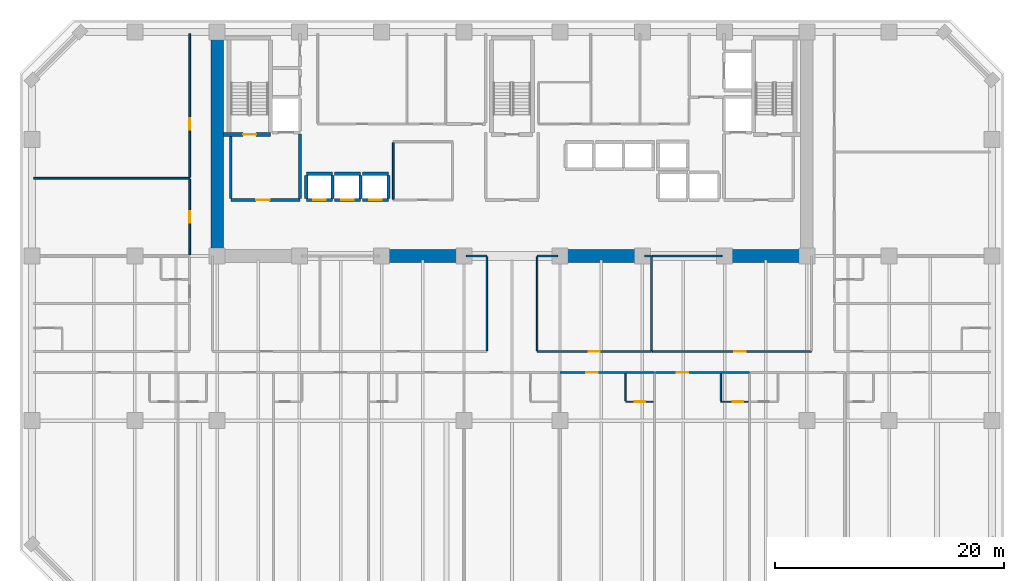
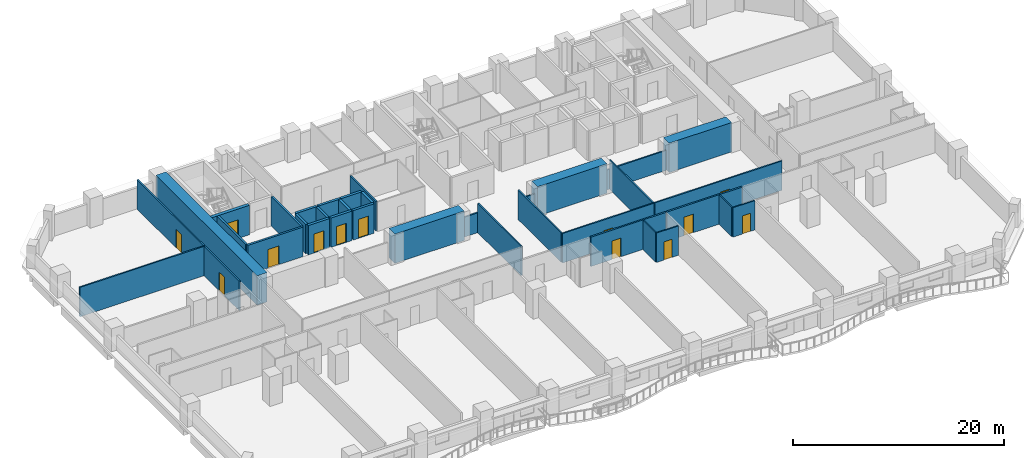
# One storey, part 5 of 14: 37 walls, 13 doors, 13 openings.
"""IFC4 building model written with IfcOpenShell, lengths in metres."""

from ifc_helpers import new_model, si_unit, direction, frame, frame_2d, origin, place, context, subcontext, project, spatial, rectangle, extrude, material, layer, layer_set, type_object, element, fill, save


model = new_model("IFC4")

# Units and contexts
model_context = context("Model", 3, precision=1e-05, world=origin(), true_north=direction((0.0, 1.0)))
body_context = subcontext(model_context, "Body", "Model", "MODEL_VIEW")
ifc_project = project(units=[si_unit("LENGTHUNIT", "METRE"), si_unit("AREAUNIT", "SQUARE_METRE"), si_unit("VOLUMEUNIT", "CUBIC_METRE"), si_unit("PLANEANGLEUNIT", "RADIAN"), si_unit("MASSUNIT", "GRAM", prefix="KILO")], contexts=[model_context])

# Site, building, storey
site_placement = place(None, origin())
site = spatial("IfcSite", under=ifc_project, at=site_placement, CompositionType="ELEMENT")
building_placement = place(site_placement, origin())
building = spatial("IfcBuilding", under=site, at=building_placement, Name="Kaelvorn Grand Hotel", CompositionType="ELEMENT")
storey_placement = place(building_placement, frame((0.0, 0.0, 76.39990234375)))
storey = spatial("IfcBuildingStorey", under=building, at=storey_placement, Name="L17", CompositionType="ELEMENT", Elevation=76.39990234375)

# Walls
ifc_material_1 = material(Name="Concrete C80/95", Category="concrete")
ifc_layer_1 = layer(ifc_material_1, 1.10009765625)
ifc_layer_set_1 = layer_set([ifc_layer_1], Name="Concrete C80/95")
wall_type_1 = type_object("IfcWallType", Name="WL-CORE-1100-C80", PredefinedType="SHEAR", material=ifc_layer_set_1)
wall_1_placement = place(storey_placement, frame((16.199951171875, 29.39990234375, 0.0), z_axis=(0.0, 0.0, 1.0), x_axis=(0.0, 1.0, 0.0)))
element("IfcWall", 1, at=wall_1_placement, inside=storey, type_object=wall_type_1, Name="L17 Rear-Core West Shear Wall", PredefinedType="SHEAR", context=body_context, shape_type="SweptSolid", body=[
    extrude(rectangle(XDim=19.2001953125, YDim=1.10009765625, at=frame_2d((9.60009765625, 0.0))), origin(), (0.0, 0.0, 1.0), 3.400146484375),
])
for number, where, z_axis, x_axis, name in (
    (2, (30.39990234375, 29.39990234375, 0.0), (0.0, 0.0, 1.0), (1.0, 0.0, 0.0), "L17 Rear-Core Coupled Shear Pier S2"),
    (3, (46.0, 29.39990234375, 0.0), (0.0, 0.0, 1.0), (1.0, 0.0, 0.0), "L17 Rear-Core Coupled Shear Pier S3"),
):
    element("IfcWall", number, at=place(storey_placement, frame(where, z_axis=z_axis, x_axis=x_axis)), inside=storey, type_object=wall_type_1, Name=name, PredefinedType="SHEAR", context=body_context, shape_type="SweptSolid", body=[
        extrude(rectangle(XDim=7.60009765625, YDim=1.10009765625, at=frame_2d((3.800048828125, 0.0))), origin(), (0.0, 0.0, 1.0), 3.400146484375),
    ])
wall_2_placement = place(storey_placement, frame((60.39990234375, 29.39990234375, 0.0), z_axis=(0.0, 0.0, 1.0), x_axis=(1.0, 0.0, 0.0)))
element("IfcWall", 4, at=wall_2_placement, inside=storey, type_object=wall_type_1, Name="L17 Rear-Core Coupled Shear Pier S4", PredefinedType="SHEAR", context=body_context, shape_type="SweptSolid", body=[
    extrude(rectangle(XDim=6.84521484375, YDim=1.10009765625, at=frame_2d((3.422607421875, 0.0))), origin(), (0.0, 0.0, 1.0), 3.400146484375),
])

# Wall, opening, door
ifc_material_2 = material(Name="Moisture-Resistant Tile & Stud Board")
ifc_layer_2 = layer(ifc_material_2, 0.125)
ifc_layer_set_2 = layer_set([ifc_layer_2], Name="Moisture-Resistant Tile & Stud Board")
wall_type_2 = type_object("IfcWallType", Name="WL-PART-125-WET", PredefinedType="PARTITIONING", material=ifc_layer_set_2)
wall_3_placement = place(storey_placement, frame((51.94970703125, 16.64990234375, 0.0), z_axis=(0.0, 0.0, 1.0), x_axis=(1.0, 0.0, 0.0)))
wall_3 = element("IfcWall", 5, at=wall_3_placement, inside=storey, type_object=wall_type_2, Name="L17 En-suite Bathroom L17-06 S Partition", PredefinedType="PARTITIONING", context=body_context, shape_type="SweptSolid", body=[
    extrude(rectangle(XDim=2.405029296875, YDim=0.125, at=frame_2d((1.20263671875, 0.0))), origin(), (0.0, 0.0, 1.0), 3.400146484375),
])
opening_1_placement = place(wall_3_placement, frame((0.800048828125, 0.0, 0.0)))
opening_1 = element("IfcOpeningElement", 6, at=opening_1_placement, cuts=wall_3, Name="Opening DI4", PredefinedType="OPENING", context=body_context, shape_type="SweptSolid", body=[
    extrude(rectangle(XDim=0.89990234375, YDim=2.10009765625, at=frame_2d((0.449951171875, 1.050048828125))), frame((0.0, 0.072509765625, 0.0), z_axis=(0.0, -1.0, 0.0), x_axis=(1.0, 0.0, 0.0)), (0.0, 0.0, 1.0), 0.14501953125),
])
ifc_material_3 = material(Name="Timber Veneer Leaf", Category="wood")
door_type_1 = type_object("IfcDoorType", Name="DR-INT-BATH-900x2100", OperationType="NOTDEFINED", PredefinedType="DOOR", material=ifc_material_3)
door_1_placement = place(opening_1_placement, origin())
door_1 = element("IfcDoor", 7, at=door_1_placement, inside=storey, type_object=door_type_1, Name="L17 En-suite Bathroom L17-06 Door", OperationType="SINGLE_SWING_RIGHT", OverallHeight=2.10009765625, OverallWidth=0.89990234375, PredefinedType="DOOR", context=body_context, shape_type="SweptSolid", body=[
    extrude(rectangle(XDim=0.89990234375, YDim=2.10009765625, at=frame_2d((0.449951171875, 1.050048828125))), frame((0.0, 0.02490234375, 0.0), z_axis=(0.0, -1.0, 0.0), x_axis=(1.0, 0.0, 0.0)), (0.0, 0.0, 1.0), 0.050048828125),
])
fill(opening_1, door_1)

# Wall
wall_4_placement = place(storey_placement, frame((51.94970703125, 16.717529296875, 0.0), z_axis=(0.0, 0.0, 1.0), x_axis=(0.0, 1.0, 0.0)))
element("IfcWall", 8, at=wall_4_placement, inside=storey, type_object=wall_type_2, Name="L17 En-suite Bathroom L17-06 W Partition", PredefinedType="PARTITIONING", context=body_context, shape_type="SweptSolid", body=[
    extrude(rectangle(XDim=2.387451171875, YDim=0.125, at=frame_2d((1.19384765625, 0.0))), origin(), (0.0, 0.0, 1.0), 3.400146484375),
])

# Wall, opening, door
wall_5_placement = place(storey_placement, frame((60.282958984375, 16.64990234375, 0.0), z_axis=(0.0, 0.0, 1.0), x_axis=(1.0, 0.0, 0.0)))
wall_5 = element("IfcWall", 9, at=wall_5_placement, inside=storey, type_object=wall_type_2, Name="L17 En-suite Bathroom L17-07 S Partition", PredefinedType="PARTITIONING", context=body_context, shape_type="SweptSolid", body=[
    extrude(rectangle(XDim=2.405029296875, YDim=0.125, at=frame_2d((1.20263671875, 0.0))), origin(), (0.0, 0.0, 1.0), 3.400146484375),
])
opening_2_placement = place(wall_5_placement, frame((1.050048828125, 0.0, 0.0)))
opening_2 = element("IfcOpeningElement", 10, at=opening_2_placement, cuts=wall_5, Name="Opening DI4", PredefinedType="OPENING", context=body_context, shape_type="SweptSolid", body=[
    extrude(rectangle(XDim=0.89990234375, YDim=2.10009765625, at=frame_2d((0.449951171875, 1.050048828125))), frame((0.0, 0.072509765625, 0.0), z_axis=(0.0, -1.0, 0.0), x_axis=(1.0, 0.0, 0.0)), (0.0, 0.0, 1.0), 0.14501953125),
])
door_2_placement = place(opening_2_placement, origin())
door_2 = element("IfcDoor", 11, at=door_2_placement, inside=storey, type_object=door_type_1, Name="L17 En-suite Bathroom L17-07 Door", OperationType="SINGLE_SWING_RIGHT", OverallHeight=2.10009765625, OverallWidth=0.89990234375, PredefinedType="DOOR", context=body_context, shape_type="SweptSolid", body=[
    extrude(rectangle(XDim=0.89990234375, YDim=2.10009765625, at=frame_2d((0.449951171875, 1.050048828125))), frame((0.0, 0.02490234375, 0.0), z_axis=(0.0, -1.0, 0.0), x_axis=(1.0, 0.0, 0.0)), (0.0, 0.0, 1.0), 0.050048828125),
])
fill(opening_2, door_2)

# Walls
wall_6_placement = place(storey_placement, frame((60.282958984375, 16.717529296875, 0.0), z_axis=(0.0, 0.0, 1.0), x_axis=(0.0, 1.0, 0.0)))
element("IfcWall", 12, at=wall_6_placement, inside=storey, type_object=wall_type_2, Name="L17 En-suite Bathroom L17-07 W Partition", PredefinedType="PARTITIONING", context=body_context, shape_type="SweptSolid", body=[
    extrude(rectangle(XDim=2.387451171875, YDim=0.125, at=frame_2d((1.19384765625, 0.0))), origin(), (0.0, 0.0, 1.0), 3.400146484375),
])
ifc_material_4 = material(Name="Acoustic Gypsum & Stud Partition")
ifc_layer_3 = layer(ifc_material_4, 0.14990234375)
ifc_layer_set_3 = layer_set([ifc_layer_3], Name="Acoustic Gypsum & Stud Partition")
wall_type_3 = type_object("IfcWallType", Name="WL-PART-150-EI60", PredefinedType="PARTITIONING", material=ifc_layer_set_3)
wall_7_placement = place(storey_placement, frame((31.60009765625, 34.3798828125, 0.0), z_axis=(0.0, 0.0, 1.0), x_axis=(0.0, 1.0, 0.0)))
element("IfcWall", 13, at=wall_7_placement, inside=storey, type_object=wall_type_3, Name="L17 Core Telecoms & BMS Server Room W Partition", PredefinedType="PARTITIONING", context=body_context, shape_type="SweptSolid", body=[
    extrude(rectangle(XDim=4.940185546875, YDim=0.14990234375, at=frame_2d((2.47021484375, 0.0))), origin(), (0.0, 0.0, 1.0), 3.400146484375),
])
wall_8_placement = place(storey_placement, frame((38.010009765625, 29.39990234375, 0.0), z_axis=(0.0, 0.0, 1.0), x_axis=(1.0, 0.0, 0.0)))
element("IfcWall", 14, at=wall_8_placement, inside=storey, type_object=wall_type_3, Name="L17 Sommelier Wine Bar N Partition (2)", PredefinedType="PARTITIONING", context=body_context, shape_type="SweptSolid", body=[
    extrude(rectangle(XDim=1.7900390625, YDim=0.14990234375, at=frame_2d((0.89501953125, 0.0))), origin(), (0.0, 0.0, 1.0), 2.300048828125),
])
wall_9_placement = place(storey_placement, frame((39.800048828125, 21.1298828125, 0.0), z_axis=(0.0, 0.0, 1.0), x_axis=(0.0, 1.0, 0.0)))
element("IfcWall", 15, at=wall_9_placement, inside=storey, type_object=wall_type_3, Name="L17 Sommelier Wine Bar E Partition", PredefinedType="PARTITIONING", context=body_context, shape_type="SweptSolid", body=[
    extrude(rectangle(XDim=8.190185546875, YDim=0.14990234375, at=frame_2d((4.09521484375, 0.0))), origin(), (0.0, 0.0, 1.0), 3.400146484375),
])

# Wall, opening, door
wall_10_placement = place(storey_placement, frame((44.199951171875, 21.050048828125, 0.0), z_axis=(0.0, 0.0, 1.0), x_axis=(1.0, 0.0, 0.0)))
wall_10 = element("IfcWall", 16, at=wall_10_placement, inside=storey, type_object=wall_type_3, Name="L17 Business Meeting Room S Partition", PredefinedType="PARTITIONING", context=body_context, shape_type="SweptSolid", body=[
    extrude(rectangle(XDim=10.0, YDim=0.14990234375, at=frame_2d((5.0, 0.0))), origin(), (0.0, 0.0, 1.0), 3.400146484375),
])
opening_3_placement = place(wall_10_placement, frame((4.5, 0.0, 0.0)))
opening_3 = element("IfcOpeningElement", 17, at=opening_3_placement, cuts=wall_10, Name="Opening DI3", PredefinedType="OPENING", context=body_context, shape_type="SweptSolid", body=[
    extrude(rectangle(XDim=1.0, YDim=2.14990234375, at=frame_2d((0.5, 1.074951171875))), frame((0.0, 0.0849609375, 0.0), z_axis=(0.0, -1.0, 0.0), x_axis=(1.0, 0.0, 0.0)), (0.0, 0.0, 1.0), 0.169921875),
])
ifc_material_5 = material(Name="Timber Veneer Fire Leaf", Category="wood")
door_type_2 = type_object("IfcDoorType", Name="DR-INT-GUEST-1000x2150", OperationType="NOTDEFINED", PredefinedType="DOOR", material=ifc_material_5)
door_3_placement = place(opening_3_placement, origin())
door_3 = element("IfcDoor", 18, at=door_3_placement, inside=storey, type_object=door_type_2, Name="L17 Business Meeting Room Door", OperationType="SINGLE_SWING_LEFT", OverallHeight=2.14990234375, OverallWidth=1.0, PredefinedType="DOOR", context=body_context, shape_type="SweptSolid", body=[
    extrude(rectangle(XDim=1.0, YDim=2.14990234375, at=frame_2d((0.5, 1.074951171875))), frame((0.0, 0.02490234375, 0.0), z_axis=(0.0, -1.0, 0.0), x_axis=(1.0, 0.0, 0.0)), (0.0, 0.0, 1.0), 0.050048828125),
])
fill(opening_3, door_3)

# Walls
wall_11_placement = place(storey_placement, frame((44.199951171875, 29.39990234375, 0.0), z_axis=(0.0, 0.0, 1.0), x_axis=(1.0, 0.0, 0.0)))
element("IfcWall", 19, at=wall_11_placement, inside=storey, type_object=wall_type_3, Name="L17 Business Meeting Room N Partition (1)", PredefinedType="PARTITIONING", context=body_context, shape_type="SweptSolid", body=[
    extrude(rectangle(XDim=1.7900390625, YDim=0.14990234375, at=frame_2d((0.89501953125, 0.0))), origin(), (0.0, 0.0, 1.0), 2.300048828125),
])
wall_12_placement = place(storey_placement, frame((53.610107421875, 29.39990234375, 0.0), z_axis=(0.0, 0.0, 1.0), x_axis=(1.0, 0.0, 0.0)))
element("IfcWall", 20, at=wall_12_placement, inside=storey, type_object=wall_type_3, Name="L17 Business Meeting Room N Partition (2)", PredefinedType="PARTITIONING", context=body_context, shape_type="SweptSolid", body=[
    extrude(rectangle(XDim=0.58984375, YDim=0.14990234375, at=frame_2d((0.294921875, 0.0))), origin(), (0.0, 0.0, 1.0), 2.300048828125),
])
for number, where, z_axis, x_axis, name in (
    (21, (44.199951171875, 21.1298828125, 0.0), (0.0, 0.0, 1.0), (0.0, 1.0, 0.0), "L17 Business Meeting Room W Partition"),
    (22, (54.199951171875, 21.1298828125, 0.0), (0.0, 0.0, 1.0), (0.0, 1.0, 0.0), "L17 Business Meeting Room E Partition"),
):
    element("IfcWall", number, at=place(storey_placement, frame(where, z_axis=z_axis, x_axis=x_axis)), inside=storey, type_object=wall_type_3, Name=name, PredefinedType="PARTITIONING", context=body_context, shape_type="SweptSolid", body=[
        extrude(rectangle(XDim=8.190185546875, YDim=0.14990234375, at=frame_2d((4.09521484375, 0.0))), origin(), (0.0, 0.0, 1.0), 3.400146484375),
    ])

# Wall, opening, door
wall_13_placement = place(storey_placement, frame((54.280029296875, 21.050048828125, 0.0), z_axis=(0.0, 0.0, 1.0), x_axis=(1.0, 0.0, 0.0)))
wall_13 = element("IfcWall", 23, at=wall_13_placement, inside=storey, type_object=wall_type_3, Name="L17 Press Briefing Office S Partition", PredefinedType="PARTITIONING", context=body_context, shape_type="SweptSolid", body=[
    extrude(rectangle(XDim=13.919921875, YDim=0.14990234375, at=frame_2d((6.9599609375, 0.0))), origin(), (0.0, 0.0, 1.0), 3.400146484375),
])
opening_4_placement = place(wall_13_placement, frame((7.169921875, 0.0, 0.0)))
opening_4 = element("IfcOpeningElement", 24, at=opening_4_placement, cuts=wall_13, Name="Opening DI3", PredefinedType="OPENING", context=body_context, shape_type="SweptSolid", body=[
    extrude(rectangle(XDim=1.0, YDim=2.14990234375, at=frame_2d((0.5, 1.074951171875))), frame((0.0, 0.0849609375, 0.0), z_axis=(0.0, -1.0, 0.0), x_axis=(1.0, 0.0, 0.0)), (0.0, 0.0, 1.0), 0.169921875),
])
door_4_placement = place(opening_4_placement, origin())
door_4 = element("IfcDoor", 25, at=door_4_placement, inside=storey, type_object=door_type_2, Name="L17 Press Briefing Office Door", OperationType="SINGLE_SWING_RIGHT", OverallHeight=2.14990234375, OverallWidth=1.0, PredefinedType="DOOR", context=body_context, shape_type="SweptSolid", body=[
    extrude(rectangle(XDim=1.0, YDim=2.14990234375, at=frame_2d((0.5, 1.074951171875))), frame((0.0, 0.02490234375, 0.0), z_axis=(0.0, -1.0, 0.0), x_axis=(1.0, 0.0, 0.0)), (0.0, 0.0, 1.0), 0.050048828125),
])
fill(opening_4, door_4)

# Walls
wall_14_placement = place(storey_placement, frame((54.280029296875, 29.39990234375, 0.0), z_axis=(0.0, 0.0, 1.0), x_axis=(1.0, 0.0, 0.0)))
element("IfcWall", 26, at=wall_14_placement, inside=storey, type_object=wall_type_3, Name="L17 Press Briefing Office N Partition", PredefinedType="PARTITIONING", context=body_context, shape_type="SweptSolid", body=[
    extrude(rectangle(XDim=6.10986328125, YDim=0.14990234375, at=frame_2d((3.054931640625, 0.0))), origin(), (0.0, 0.0, 1.0), 2.300048828125),
])
wall_15_placement = place(storey_placement, frame((0.14990234375, 36.199951171875, 0.0), z_axis=(0.0, 0.0, 1.0), x_axis=(1.0, 0.0, 0.0)))
element("IfcWall", 27, at=wall_15_placement, inside=storey, type_object=wall_type_3, Name="L17 North-West Private Cinema Lounge N Partition", PredefinedType="PARTITIONING", context=body_context, shape_type="SweptSolid", body=[
    extrude(rectangle(XDim=13.650146484375, YDim=0.14990234375, at=frame_2d((6.8251953125, 0.0))), origin(), (0.0, 0.0, 1.0), 3.400146484375),
])

# Wall, opening, door
wall_16_placement = place(storey_placement, frame((13.800048828125, 29.4951171875, 0.0), z_axis=(0.0, 0.0, 1.0), x_axis=(0.0, 1.0, 0.0)))
wall_16 = element("IfcWall", 28, at=wall_16_placement, inside=storey, type_object=wall_type_3, Name="L17 North-West Private Cinema Lounge E Partition", PredefinedType="PARTITIONING", context=body_context, shape_type="SweptSolid", body=[
    extrude(rectangle(XDim=6.625, YDim=0.14990234375, at=frame_2d((3.3125, 0.0))), origin(), (0.0, 0.0, 1.0), 3.400146484375),
])
opening_5_placement = place(wall_16_placement, frame((2.804931640625, 0.0, 0.0)))
opening_5 = element("IfcOpeningElement", 29, at=opening_5_placement, cuts=wall_16, Name="Opening DI3", PredefinedType="OPENING", context=body_context, shape_type="SweptSolid", body=[
    extrude(rectangle(XDim=1.0, YDim=2.14990234375, at=frame_2d((0.5, 1.074951171875))), frame((0.0, 0.0849609375, 0.0), z_axis=(0.0, -1.0, 0.0), x_axis=(1.0, 0.0, 0.0)), (0.0, 0.0, 1.0), 0.169921875),
])
door_5_placement = place(opening_5_placement, origin())
door_5 = element("IfcDoor", 30, at=door_5_placement, inside=storey, type_object=door_type_2, Name="L17 North-West Private Cinema Lounge Door", OperationType="SINGLE_SWING_LEFT", OverallHeight=2.14990234375, OverallWidth=1.0, PredefinedType="DOOR", context=body_context, shape_type="SweptSolid", body=[
    extrude(rectangle(XDim=1.0, YDim=2.14990234375, at=frame_2d((0.5, 1.074951171875))), frame((0.0, 0.02490234375, 0.0), z_axis=(0.0, -1.0, 0.0), x_axis=(1.0, 0.0, 0.0)), (0.0, 0.0, 1.0), 0.050048828125),
])
fill(opening_5, door_5)

wall_17_placement = place(storey_placement, frame((13.800048828125, 36.280029296875, 0.0), z_axis=(0.0, 0.0, 1.0), x_axis=(0.0, 1.0, 0.0)))
wall_17 = element("IfcWall", 31, at=wall_17_placement, inside=storey, type_object=wall_type_3, Name="L17 North-West Sommelier Wine Bar E Partition", PredefinedType="PARTITIONING", context=body_context, shape_type="SweptSolid", body=[
    extrude(rectangle(XDim=12.570068359375, YDim=0.14990234375, at=frame_2d((6.28515625, 0.0))), origin(), (0.0, 0.0, 1.0), 3.400146484375),
])
opening_6_placement = place(wall_17_placement, frame((4.169921875, 0.0, 0.0)))
opening_6 = element("IfcOpeningElement", 32, at=opening_6_placement, cuts=wall_17, Name="Opening DI3", PredefinedType="OPENING", context=body_context, shape_type="SweptSolid", body=[
    extrude(rectangle(XDim=1.0, YDim=2.14990234375, at=frame_2d((0.5, 1.074951171875))), frame((0.0, 0.0849609375, 0.0), z_axis=(0.0, -1.0, 0.0), x_axis=(1.0, 0.0, 0.0)), (0.0, 0.0, 1.0), 0.169921875),
])
door_6_placement = place(opening_6_placement, origin())
door_6 = element("IfcDoor", 33, at=door_6_placement, inside=storey, type_object=door_type_2, Name="L17 North-West Sommelier Wine Bar Door", OperationType="SINGLE_SWING_RIGHT", OverallHeight=2.14990234375, OverallWidth=1.0, PredefinedType="DOOR", context=body_context, shape_type="SweptSolid", body=[
    extrude(rectangle(XDim=1.0, YDim=2.14990234375, at=frame_2d((0.5, 1.074951171875))), frame((0.0, 0.02490234375, 0.0), z_axis=(0.0, -1.0, 0.0), x_axis=(1.0, 0.0, 0.0)), (0.0, 0.0, 1.0), 0.050048828125),
])
fill(opening_6, door_6)

ifc_layer_4 = layer(ifc_material_4, 0.179931640625)
ifc_layer_set_4 = layer_set([ifc_layer_4], Name="Acoustic Gypsum & Stud Partition")
wall_type_4 = type_object("IfcWallType", Name="WL-PART-180-EI60", PredefinedType="PARTITIONING", material=ifc_layer_set_4)
wall_18_placement = place(storey_placement, frame((46.21142578125, 19.199951171875, 0.0), z_axis=(0.0, 0.0, 1.0), x_axis=(1.0, 0.0, 0.0)))
wall_18 = element("IfcWall", 34, at=wall_18_placement, inside=storey, type_object=wall_type_4, Name="L17 Deluxe Panoramic Suite L17-06 N Partition", PredefinedType="PARTITIONING", context=body_context, shape_type="SweptSolid", body=[
    extrude(rectangle(XDim=8.23828125, YDim=0.179931640625, at=frame_2d((4.119140625, 0.0))), origin(), (0.0, 0.0, 1.0), 3.400146484375),
])
opening_7_placement = place(wall_18_placement, frame((2.303466796875, 0.0, 0.0)))
opening_7 = element("IfcOpeningElement", 35, at=opening_7_placement, cuts=wall_18, Name="Opening DI3", PredefinedType="OPENING", context=body_context, shape_type="SweptSolid", body=[
    extrude(rectangle(XDim=1.0, YDim=2.14990234375, at=frame_2d((0.5, 1.074951171875))), frame((0.0, 0.10009765625, 0.0), z_axis=(0.0, -1.0, 0.0), x_axis=(1.0, 0.0, 0.0)), (0.0, 0.0, 1.0), 0.199951171875),
])
door_7_placement = place(opening_7_placement, origin())
door_7 = element("IfcDoor", 36, at=door_7_placement, inside=storey, type_object=door_type_2, Name="L17 Deluxe Panoramic Suite L17-06 Door", OperationType="SINGLE_SWING_LEFT", OverallHeight=2.14990234375, OverallWidth=1.0, PredefinedType="DOOR", context=body_context, shape_type="SweptSolid", body=[
    extrude(rectangle(XDim=1.0, YDim=2.14990234375, at=frame_2d((0.5, 1.074951171875))), frame((0.0, 0.02490234375, 0.0), z_axis=(0.0, -1.0, 0.0), x_axis=(1.0, 0.0, 0.0)), (0.0, 0.0, 1.0), 0.050048828125),
])
fill(opening_7, door_7)

wall_19_placement = place(storey_placement, frame((54.544677734375, 19.199951171875, 0.0), z_axis=(0.0, 0.0, 1.0), x_axis=(1.0, 0.0, 0.0)))
wall_19 = element("IfcWall", 37, at=wall_19_placement, inside=storey, type_object=wall_type_4, Name="L17 Deluxe Panoramic Suite L17-07 N Partition", PredefinedType="PARTITIONING", context=body_context, shape_type="SweptSolid", body=[
    extrude(rectangle(XDim=8.23828125, YDim=0.179931640625, at=frame_2d((4.119140625, 0.0))), origin(), (0.0, 0.0, 1.0), 3.400146484375),
])
opening_8_placement = place(wall_19_placement, frame((1.87158203125, 0.0, 0.0)))
opening_8 = element("IfcOpeningElement", 38, at=opening_8_placement, cuts=wall_19, Name="Opening DI3", PredefinedType="OPENING", context=body_context, shape_type="SweptSolid", body=[
    extrude(rectangle(XDim=1.0, YDim=2.14990234375, at=frame_2d((0.5, 1.074951171875))), frame((0.0, 0.10009765625, 0.0), z_axis=(0.0, -1.0, 0.0), x_axis=(1.0, 0.0, 0.0)), (0.0, 0.0, 1.0), 0.199951171875),
])
door_8_placement = place(opening_8_placement, origin())
door_8 = element("IfcDoor", 39, at=door_8_placement, inside=storey, type_object=door_type_2, Name="L17 Deluxe Panoramic Suite L17-07 Door", OperationType="SINGLE_SWING_LEFT", OverallHeight=2.14990234375, OverallWidth=1.0, PredefinedType="DOOR", context=body_context, shape_type="SweptSolid", body=[
    extrude(rectangle(XDim=1.0, YDim=2.14990234375, at=frame_2d((0.5, 1.074951171875))), frame((0.0, 0.02490234375, 0.0), z_axis=(0.0, -1.0, 0.0), x_axis=(1.0, 0.0, 0.0)), (0.0, 0.0, 1.0), 0.050048828125),
])
fill(opening_8, door_8)

ifc_material_6 = material(Name="Concrete C40/50", Category="concrete")
ifc_layer_5 = layer(ifc_material_6, 0.219970703125)
ifc_layer_set_5 = layer_set([ifc_layer_5], Name="Concrete C40/50")
wall_type_5 = type_object("IfcWallType", Name="WL-PART-220-EI120", PredefinedType="PARTITIONING", material=ifc_layer_set_5)
wall_20_placement = place(storey_placement, frame((17.39990234375, 34.300048828125, 0.0), z_axis=(0.0, 0.0, 1.0), x_axis=(1.0, 0.0, 0.0)))
wall_20 = element("IfcWall", 40, at=wall_20_placement, inside=storey, type_object=wall_type_5, Name="L17 Firefighting Lift Lobby 1 S Partition", PredefinedType="PARTITIONING", context=body_context, shape_type="SweptSolid", body=[
    extrude(rectangle(XDim=6.050048828125, YDim=0.219970703125, at=frame_2d((3.02490234375, 0.0))), origin(), (0.0, 0.0, 1.0), 3.400146484375),
])
opening_9_placement = place(wall_20_placement, frame((2.199951171875, 0.0, 0.0)))
opening_9 = element("IfcOpeningElement", 41, at=opening_9_placement, cuts=wall_20, Name="Opening DI2", PredefinedType="OPENING", context=body_context, shape_type="SweptSolid", body=[
    extrude(rectangle(XDim=1.199951171875, YDim=2.14990234375, at=frame_2d((0.60009765625, 1.074951171875))), frame((0.0, 0.1201171875, 0.0), z_axis=(0.0, -1.0, 0.0), x_axis=(1.0, 0.0, 0.0)), (0.0, 0.0, 1.0), 0.239990234375),
])
door_type_3 = type_object("IfcDoorType", Name="DR-INT-FFLOB-1200x2150", OperationType="NOTDEFINED", PredefinedType="DOOR", material=ifc_material_5)
door_9_placement = place(opening_9_placement, origin())
door_9 = element("IfcDoor", 42, at=door_9_placement, inside=storey, type_object=door_type_3, Name="L17 Firefighting Lift Lobby 1 Door", OperationType="SINGLE_SWING_RIGHT", OverallHeight=2.14990234375, OverallWidth=1.199951171875, PredefinedType="DOOR", context=body_context, shape_type="SweptSolid", body=[
    extrude(rectangle(XDim=1.199951171875, YDim=2.14990234375, at=frame_2d((0.60009765625, 1.074951171875))), frame((0.0, 0.02490234375, 0.0), z_axis=(0.0, -1.0, 0.0), x_axis=(1.0, 0.0, 0.0)), (0.0, 0.0, 1.0), 0.050048828125),
])
fill(opening_9, door_9)

# Walls
wall_21_placement = place(storey_placement, frame((17.39990234375, 34.4150390625, 0.0), z_axis=(0.0, 0.0, 1.0), x_axis=(0.0, 1.0, 0.0)))
element("IfcWall", 43, at=wall_21_placement, inside=storey, type_object=wall_type_5, Name="L17 Firefighting Lift Lobby 1 W Partition", PredefinedType="PARTITIONING", context=body_context, shape_type="SweptSolid", body=[
    extrude(rectangle(XDim=5.429931640625, YDim=0.219970703125, at=frame_2d((2.71484375, 0.0))), origin(), (0.0, 0.0, 1.0), 3.400146484375),
])
wall_22_placement = place(storey_placement, frame((23.449951171875, 34.4150390625, 0.0), z_axis=(0.0, 0.0, 1.0), x_axis=(0.0, 1.0, 0.0)))
element("IfcWall", 44, at=wall_22_placement, inside=storey, type_object=wall_type_5, Name="L17 Firefighting Lift Lobby 1 E Partition", PredefinedType="PARTITIONING", context=body_context, shape_type="SweptSolid", body=[
    extrude(rectangle(XDim=5.639892578125, YDim=0.219970703125, at=frame_2d((2.81982421875, 0.0))), origin(), (0.0, 0.0, 1.0), 3.400146484375),
])

# Wall, opening, door
ifc_material_7 = material(Name="Concrete C50/60", Category="concrete")
ifc_layer_6 = layer(ifc_material_7, 0.280029296875)
ifc_layer_set_6 = layer_set([ifc_layer_6], Name="Concrete C50/60")
wall_type_6 = type_object("IfcWallType", Name="WL-SHAFT-280-C50", PredefinedType="SHEAR", material=ifc_layer_set_6)
wall_23_placement = place(storey_placement, frame((24.0, 34.300048828125, 0.0), z_axis=(0.0, 0.0, 1.0), x_axis=(1.0, 0.0, 0.0)))
wall_23 = element("IfcWall", 45, at=wall_23_placement, inside=storey, type_object=wall_type_6, Name="L17 Lift PL-L1 Shaft South Wall", PredefinedType="SHEAR", context=body_context, shape_type="SweptSolid", body=[
    extrude(rectangle(XDim=2.300048828125, YDim=0.280029296875, at=frame_2d((1.14990234375, 0.0))), origin(), (0.0, 0.0, 1.0), 3.400146484375),
])
opening_10_placement = place(wall_23_placement, frame((0.60009765625, 0.0, 0.0)))
opening_10 = element("IfcOpeningElement", 46, at=opening_10_placement, cuts=wall_23, Name="Opening LD-PL-L1", PredefinedType="OPENING", context=body_context, shape_type="SweptSolid", body=[
    extrude(rectangle(XDim=1.10009765625, YDim=2.199951171875, at=frame_2d((0.550048828125, 1.10009765625))), frame((0.0, 0.14990234375, 0.0), z_axis=(0.0, -1.0, 0.0), x_axis=(1.0, 0.0, 0.0)), (0.0, 0.0, 1.0), 0.300048828125),
])
ifc_material_8 = material(Name="Stainless Steel", Category="steel")
door_type_4 = type_object("IfcDoorType", Name="DR-LIFT-PASS-1100x2200", OperationType="DOUBLE_DOOR_SLIDING", PredefinedType="DOOR", material=ifc_material_8)
door_10_placement = place(opening_10_placement, origin())
door_10 = element("IfcDoor", 47, at=door_10_placement, inside=storey, type_object=door_type_4, Name="L17 Lift PL-L1 Sliding Landing Door LD-PL-L1", OperationType="DOUBLE_DOOR_SLIDING", OverallHeight=2.199951171875, OverallWidth=1.10009765625, PredefinedType="DOOR", context=body_context, shape_type="SweptSolid", body=[
    extrude(rectangle(XDim=1.10009765625, YDim=2.199951171875, at=frame_2d((0.550048828125, 1.10009765625))), frame((0.0, 0.02490234375, 0.0), z_axis=(0.0, -1.0, 0.0), x_axis=(1.0, 0.0, 0.0)), (0.0, 0.0, 1.0), 0.050048828125),
])
fill(opening_10, door_10)

# Walls
wall_24_placement = place(storey_placement, frame((24.0, 36.60009765625, 0.0), z_axis=(0.0, 0.0, 1.0), x_axis=(1.0, 0.0, 0.0)))
element("IfcWall", 48, at=wall_24_placement, inside=storey, type_object=wall_type_6, Name="L17 Lift PL-L1 Shaft North Wall", PredefinedType="SHEAR", context=body_context, shape_type="SweptSolid", body=[
    extrude(rectangle(XDim=2.300048828125, YDim=0.280029296875, at=frame_2d((1.14990234375, 0.0))), origin(), (0.0, 0.0, 1.0), 3.400146484375),
])
for number, where, z_axis, x_axis, name in (
    (49, (24.0, 34.445068359375, 0.0), (0.0, 0.0, 1.0), (0.0, 1.0, 0.0), "L17 Lift PL-L1 Shaft West Wall"),
    (50, (26.300048828125, 34.445068359375, 0.0), (0.0, 0.0, 1.0), (0.0, 1.0, 0.0), "L17 Lift PL-L1 Shaft East Wall"),
):
    element("IfcWall", number, at=place(storey_placement, frame(where, z_axis=z_axis, x_axis=x_axis)), inside=storey, type_object=wall_type_6, Name=name, PredefinedType="SHEAR", context=body_context, shape_type="SweptSolid", body=[
        extrude(rectangle(XDim=2.010009765625, YDim=0.280029296875, at=frame_2d((1.0048828125, 0.0))), origin(), (0.0, 0.0, 1.0), 3.400146484375),
    ])

# Wall, opening, door
wall_25_placement = place(storey_placement, frame((26.449951171875, 34.300048828125, 0.0), z_axis=(0.0, 0.0, 1.0), x_axis=(1.0, 0.0, 0.0)))
wall_25 = element("IfcWall", 51, at=wall_25_placement, inside=storey, type_object=wall_type_6, Name="L17 Lift PL-L2 Shaft South Wall", PredefinedType="SHEAR", context=body_context, shape_type="SweptSolid", body=[
    extrude(rectangle(XDim=2.300048828125, YDim=0.280029296875, at=frame_2d((1.14990234375, 0.0))), origin(), (0.0, 0.0, 1.0), 3.400146484375),
])
opening_11_placement = place(wall_25_placement, frame((0.60009765625, 0.0, 0.0)))
opening_11 = element("IfcOpeningElement", 52, at=opening_11_placement, cuts=wall_25, Name="Opening LD-PL-L2", PredefinedType="OPENING", context=body_context, shape_type="SweptSolid", body=[
    extrude(rectangle(XDim=1.10009765625, YDim=2.199951171875, at=frame_2d((0.550048828125, 1.10009765625))), frame((0.0, 0.14990234375, 0.0), z_axis=(0.0, -1.0, 0.0), x_axis=(1.0, 0.0, 0.0)), (0.0, 0.0, 1.0), 0.300048828125),
])
door_11_placement = place(opening_11_placement, origin())
door_11 = element("IfcDoor", 53, at=door_11_placement, inside=storey, type_object=door_type_4, Name="L17 Lift PL-L2 Sliding Landing Door LD-PL-L2", OperationType="DOUBLE_DOOR_SLIDING", OverallHeight=2.199951171875, OverallWidth=1.10009765625, PredefinedType="DOOR", context=body_context, shape_type="SweptSolid", body=[
    extrude(rectangle(XDim=1.10009765625, YDim=2.199951171875, at=frame_2d((0.550048828125, 1.10009765625))), frame((0.0, 0.02490234375, 0.0), z_axis=(0.0, -1.0, 0.0), x_axis=(1.0, 0.0, 0.0)), (0.0, 0.0, 1.0), 0.050048828125),
])
fill(opening_11, door_11)

# Walls
wall_26_placement = place(storey_placement, frame((26.449951171875, 36.60009765625, 0.0), z_axis=(0.0, 0.0, 1.0), x_axis=(1.0, 0.0, 0.0)))
element("IfcWall", 54, at=wall_26_placement, inside=storey, type_object=wall_type_6, Name="L17 Lift PL-L2 Shaft North Wall", PredefinedType="SHEAR", context=body_context, shape_type="SweptSolid", body=[
    extrude(rectangle(XDim=2.300048828125, YDim=0.280029296875, at=frame_2d((1.14990234375, 0.0))), origin(), (0.0, 0.0, 1.0), 3.400146484375),
])
wall_27_placement = place(storey_placement, frame((28.75, 34.445068359375, 0.0), z_axis=(0.0, 0.0, 1.0), x_axis=(0.0, 1.0, 0.0)))
element("IfcWall", 55, at=wall_27_placement, inside=storey, type_object=wall_type_6, Name="L17 Lift PL-L2 Shaft East Wall", PredefinedType="SHEAR", context=body_context, shape_type="SweptSolid", body=[
    extrude(rectangle(XDim=2.010009765625, YDim=0.280029296875, at=frame_2d((1.0048828125, 0.0))), origin(), (0.0, 0.0, 1.0), 3.400146484375),
])

# Wall, opening, door
wall_28_placement = place(storey_placement, frame((28.89990234375, 34.300048828125, 0.0), z_axis=(0.0, 0.0, 1.0), x_axis=(1.0, 0.0, 0.0)))
wall_28 = element("IfcWall", 56, at=wall_28_placement, inside=storey, type_object=wall_type_6, Name="L17 Lift PL-L3 Shaft South Wall", PredefinedType="SHEAR", context=body_context, shape_type="SweptSolid", body=[
    extrude(rectangle(XDim=2.300048828125, YDim=0.280029296875, at=frame_2d((1.14990234375, 0.0))), origin(), (0.0, 0.0, 1.0), 3.400146484375),
])
opening_12_placement = place(wall_28_placement, frame((0.60009765625, 0.0, 0.0)))
opening_12 = element("IfcOpeningElement", 57, at=opening_12_placement, cuts=wall_28, Name="Opening LD-PL-L3", PredefinedType="OPENING", context=body_context, shape_type="SweptSolid", body=[
    extrude(rectangle(XDim=1.10009765625, YDim=2.199951171875, at=frame_2d((0.550048828125, 1.10009765625))), frame((0.0, 0.14990234375, 0.0), z_axis=(0.0, -1.0, 0.0), x_axis=(1.0, 0.0, 0.0)), (0.0, 0.0, 1.0), 0.300048828125),
])
door_12_placement = place(opening_12_placement, origin())
door_12 = element("IfcDoor", 58, at=door_12_placement, inside=storey, type_object=door_type_4, Name="L17 Lift PL-L3 Sliding Landing Door LD-PL-L3", OperationType="DOUBLE_DOOR_SLIDING", OverallHeight=2.199951171875, OverallWidth=1.10009765625, PredefinedType="DOOR", context=body_context, shape_type="SweptSolid", body=[
    extrude(rectangle(XDim=1.10009765625, YDim=2.199951171875, at=frame_2d((0.550048828125, 1.10009765625))), frame((0.0, 0.02490234375, 0.0), z_axis=(0.0, -1.0, 0.0), x_axis=(1.0, 0.0, 0.0)), (0.0, 0.0, 1.0), 0.050048828125),
])
fill(opening_12, door_12)

# Walls
wall_29_placement = place(storey_placement, frame((28.89990234375, 36.60009765625, 0.0), z_axis=(0.0, 0.0, 1.0), x_axis=(1.0, 0.0, 0.0)))
element("IfcWall", 59, at=wall_29_placement, inside=storey, type_object=wall_type_6, Name="L17 Lift PL-L3 Shaft North Wall", PredefinedType="SHEAR", context=body_context, shape_type="SweptSolid", body=[
    extrude(rectangle(XDim=2.300048828125, YDim=0.280029296875, at=frame_2d((1.14990234375, 0.0))), origin(), (0.0, 0.0, 1.0), 3.400146484375),
])
wall_30_placement = place(storey_placement, frame((31.199951171875, 34.445068359375, 0.0), z_axis=(0.0, 0.0, 1.0), x_axis=(0.0, 1.0, 0.0)))
element("IfcWall", 60, at=wall_30_placement, inside=storey, type_object=wall_type_6, Name="L17 Lift PL-L3 Shaft East Wall", PredefinedType="SHEAR", context=body_context, shape_type="SweptSolid", body=[
    extrude(rectangle(XDim=2.010009765625, YDim=0.280029296875, at=frame_2d((1.0048828125, 0.0))), origin(), (0.0, 0.0, 1.0), 3.400146484375),
])

# Wall, opening, door
ifc_material_9 = material(Name="Concrete C60/75", Category="concrete")
ifc_layer_7 = layer(ifc_material_9, 0.35009765625)
ifc_layer_set_7 = layer_set([ifc_layer_7], Name="Concrete C60/75")
wall_type_7 = type_object("IfcWallType", Name="WL-SHAFT-350-C60", PredefinedType="SHEAR", material=ifc_layer_set_7)
wall_31_placement = place(storey_placement, frame((16.7548828125, 40.02490234375, 0.0), z_axis=(0.0, 0.0, 1.0), x_axis=(1.0, 0.0, 0.0)))
wall_31 = element("IfcWall", 61, at=wall_31_placement, inside=storey, type_object=wall_type_7, Name="L17 ST1 Stair Shaft South Wall", PredefinedType="SHEAR", context=body_context, shape_type="SweptSolid", body=[
    extrude(rectangle(XDim=4.10009765625, YDim=0.35009765625, at=frame_2d((2.050048828125, 0.0))), origin(), (0.0, 0.0, 1.0), 3.400146484375),
])
opening_13_placement = place(wall_31_placement, frame((1.7099609375, 0.0, 0.0)))
opening_13 = element("IfcOpeningElement", 62, at=opening_13_placement, cuts=wall_31, Name="Opening DI1", PredefinedType="OPENING", context=body_context, shape_type="SweptSolid", body=[
    extrude(rectangle(XDim=1.14990234375, YDim=2.14990234375, at=frame_2d((0.574951171875, 1.074951171875))), frame((0.0, 0.18505859375, 0.0), z_axis=(0.0, -1.0, 0.0), x_axis=(1.0, 0.0, 0.0)), (0.0, 0.0, 1.0), 0.3701171875),
])
door_type_5 = type_object("IfcDoorType", Name="DR-INT-STAIR-1150x2150", OperationType="NOTDEFINED", PredefinedType="DOOR", material=ifc_material_5)
door_13_placement = place(opening_13_placement, origin())
door_13 = element("IfcDoor", 63, at=door_13_placement, inside=storey, type_object=door_type_5, Name="L17 ST1 Exit Stair Fire Door", OperationType="SINGLE_SWING_LEFT", OverallHeight=2.14990234375, OverallWidth=1.14990234375, PredefinedType="DOOR", context=body_context, shape_type="SweptSolid", body=[
    extrude(rectangle(XDim=1.14990234375, YDim=2.14990234375, at=frame_2d((0.574951171875, 1.074951171875))), frame((0.0, 0.02490234375, 0.0), z_axis=(0.0, -1.0, 0.0), x_axis=(1.0, 0.0, 0.0)), (0.0, 0.0, 1.0), 0.050048828125),
])
fill(opening_13, door_13)

save(model, "model.ifc")
